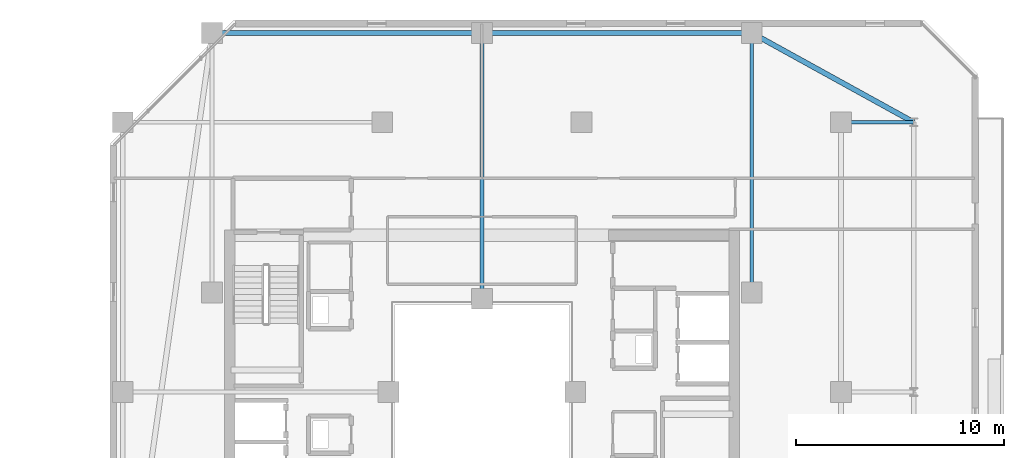
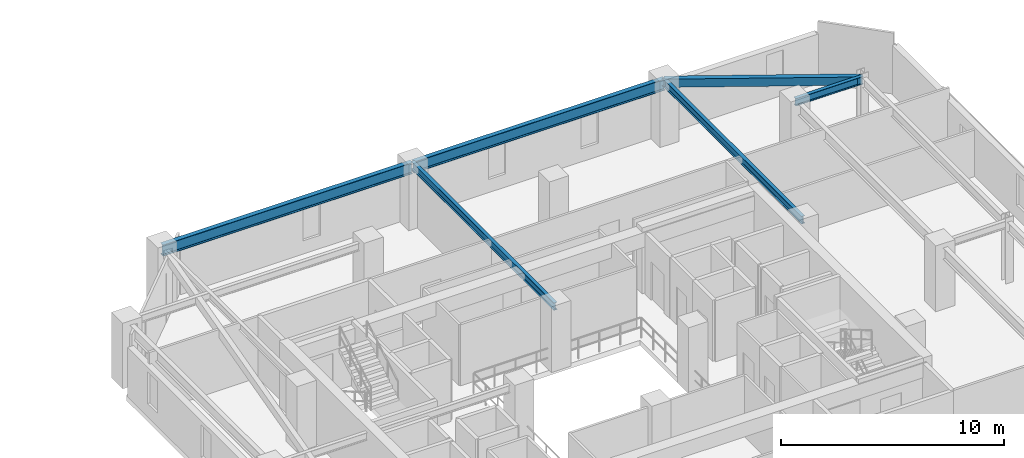
# One storey, part 15 of 31: 6 beams.
"""IFC4 building model written with IfcOpenShell, lengths in metres."""

from ifc_helpers import new_model, si_unit, direction, frame, origin, origin_2d, place, context, subcontext, project, spatial, hollow_rectangle, i_section, extrude, material, material_profile, profile_set, type_object, element, save


model = new_model("IFC4")

# Units and contexts
model_context = context("Model", 3, precision=1e-05, world=origin(), true_north=direction((0.0, 1.0)))
body_context = subcontext(model_context, "Body", "Model", "MODEL_VIEW")
ifc_project = project(units=[si_unit("LENGTHUNIT", "METRE"), si_unit("AREAUNIT", "SQUARE_METRE"), si_unit("VOLUMEUNIT", "CUBIC_METRE"), si_unit("PLANEANGLEUNIT", "RADIAN"), si_unit("MASSUNIT", "GRAM", prefix="KILO")], contexts=[model_context])

# Site, building, storey
site_placement = place(None, origin())
site = spatial("IfcSite", under=ifc_project, at=site_placement, CompositionType="ELEMENT")
building_placement = place(site_placement, origin())
building = spatial("IfcBuilding", under=site, at=building_placement, Name="Thornwick Lancets Civic Towers", CompositionType="ELEMENT")
storey_placement = place(building_placement, frame((0.0, 0.0, 233.10009765625)))
storey = spatial("IfcBuildingStorey", under=building, at=storey_placement, Name="L62", CompositionType="ELEMENT", Elevation=233.10009765625)

# Beams
ifc_material = material(Name="Steel S355JR", Category="steel")
ifc_material_profile_1 = material_profile(ifc_material, i_section(OverallWidth=0.230224609375, OverallDepth=0.6171875, WebThickness=0.01318359375, FlangeThickness=0.022216796875, FilletRadius=0.0126953125, at=origin_2d()), Name="UKB 610x229x140")
ifc_profile_set_1 = profile_set([ifc_material_profile_1], Name="Steel S355JR")
beam_type_1 = type_object("IfcBeamType", Name="BM_GIRD_610_140", PredefinedType="BEAM", material=ifc_profile_set_1)
beam_1_placement = place(storey_placement, frame((101.5, 44.300048828125, 3.05126953125), z_axis=(-1.0, 0.0, 0.0), x_axis=(0.0, -1.0, 0.0)))
element("IfcBeam", 1, at=beam_1_placement, inside=storey, type_object=beam_type_1, Name="BM-SPINE-L62-B-3-4", PredefinedType="BEAM", context=body_context, shape_type="SweptSolid", body=[
    extrude(i_section(OverallWidth=0.230224609375, OverallDepth=0.6171875, WebThickness=0.01318359375, FlangeThickness=0.022216796875, FilletRadius=0.0126953125, at=origin_2d()), origin(), (0.0, 0.0, 1.0), 13.0),
])
beam_2_placement = place(storey_placement, frame((88.419921875, 44.300048828125, 3.05126953125), z_axis=(-1.0, 0.0, 0.0), x_axis=(0.0, -1.0, 0.0)))
element("IfcBeam", 2, at=beam_2_placement, inside=storey, type_object=beam_type_1, Name="BM-SPINE-L62-B-4-5", PredefinedType="BEAM", context=body_context, shape_type="SweptSolid", body=[
    extrude(i_section(OverallWidth=0.230224609375, OverallDepth=0.6171875, WebThickness=0.01318359375, FlangeThickness=0.022216796875, FilletRadius=0.0126953125, at=origin_2d()), origin(), (0.0, 0.0, 1.0), 12.919921875),
])
ifc_material_profile_2 = material_profile(ifc_material, i_section(OverallWidth=0.179443359375, OverallDepth=0.412841796875, WebThickness=0.009521484375, FlangeThickness=0.01611328125, FilletRadius=0.01025390625, at=origin_2d()), Name="UKB 406x178x74")
ifc_profile_set_2 = profile_set([ifc_material_profile_2], Name="Steel S355JR")
beam_type_2 = type_object("IfcBeamType", Name="BM_JOIST_406_74", PredefinedType="JOIST", material=ifc_profile_set_2)
beam_3_placement = place(storey_placement, frame((105.800048828125, 40.0, 3.153564453125), z_axis=(1.0, 0.0, 0.0), x_axis=(0.0, 1.0, 0.0)))
element("IfcBeam", 3, at=beam_3_placement, inside=storey, type_object=beam_type_2, Name="BM-RAD-L62-B03", PredefinedType="JOIST", context=body_context, shape_type="SweptSolid", body=[
    extrude(i_section(OverallWidth=0.179443359375, OverallDepth=0.412841796875, WebThickness=0.009521484375, FlangeThickness=0.01611328125, FilletRadius=0.01025390625, at=origin_2d()), origin(), (0.0, 0.0, 1.0), 3.5),
])
beam_4_placement = place(storey_placement, frame((101.5, 31.800048828125, 3.153564453125), z_axis=(0.0, 1.0, 0.0), x_axis=(-1.0, 0.0, 0.0)))
element("IfcBeam", 4, at=beam_4_placement, inside=storey, type_object=beam_type_2, Name="BM-RADIN-L62-B04", PredefinedType="JOIST", context=body_context, shape_type="SweptSolid", body=[
    extrude(i_section(OverallWidth=0.179443359375, OverallDepth=0.412841796875, WebThickness=0.009521484375, FlangeThickness=0.01611328125, FilletRadius=0.01025390625, at=origin_2d()), origin(), (0.0, 0.0, 1.0), 12.5),
])
beam_5_placement = place(storey_placement, frame((88.5, 31.5, 3.153564453125), z_axis=(0.0, 1.0, 0.0), x_axis=(-1.0, 0.0, 0.0)))
element("IfcBeam", 5, at=beam_5_placement, inside=storey, type_object=beam_type_2, Name="BM-RADIN-L62-B05", PredefinedType="JOIST", context=body_context, shape_type="SweptSolid", body=[
    extrude(i_section(OverallWidth=0.179443359375, OverallDepth=0.412841796875, WebThickness=0.009521484375, FlangeThickness=0.01611328125, FilletRadius=0.01025390625, at=origin_2d()), origin(), (0.0, 0.0, 1.0), 12.800048828125),
])
ifc_material_profile_3 = material_profile(ifc_material, hollow_rectangle(XDim=0.25, YDim=0.449951171875, WallThickness=0.01611328125, at=origin_2d()), Name="RHS 450x250x16")
ifc_profile_set_3 = profile_set([ifc_material_profile_3], Name="Steel S355JR")
beam_type_3 = type_object("IfcBeamType", Name="BM_RING_RHS450", PredefinedType="BEAM", material=ifc_profile_set_3)
beam_6_placement = place(storey_placement, frame((109.300048828125, 40.0, 3.135009765625), z_axis=(-0.875740348708, 0.482782395749, 0.0), x_axis=(-0.482782395749, -0.875740348708, 0.0)))
element("IfcBeam", 6, at=beam_6_placement, inside=storey, type_object=beam_type_3, Name="BM-CHAMF-L62-B-C0", PredefinedType="BEAM", context=body_context, shape_type="SweptSolid", body=[
    extrude(hollow_rectangle(XDim=0.25, YDim=0.449951171875, WallThickness=0.01611328125, at=origin_2d()), origin(), (0.0, 0.0, 1.0), 8.90673828125),
])

save(model, "model.ifc")
